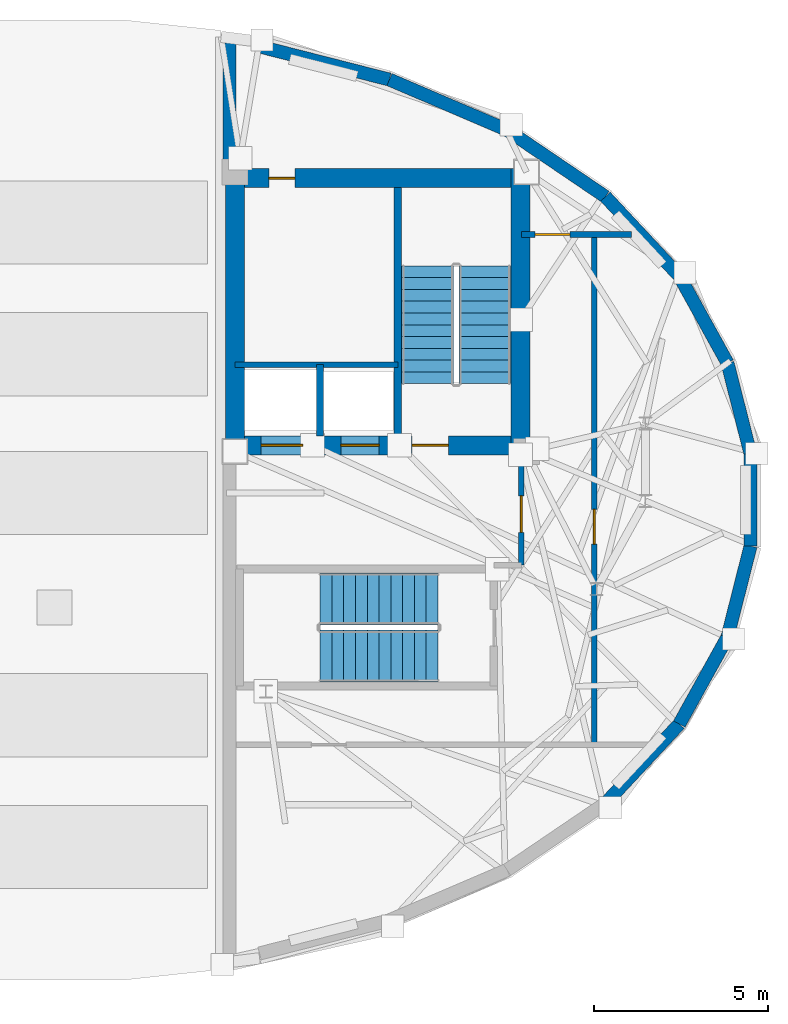
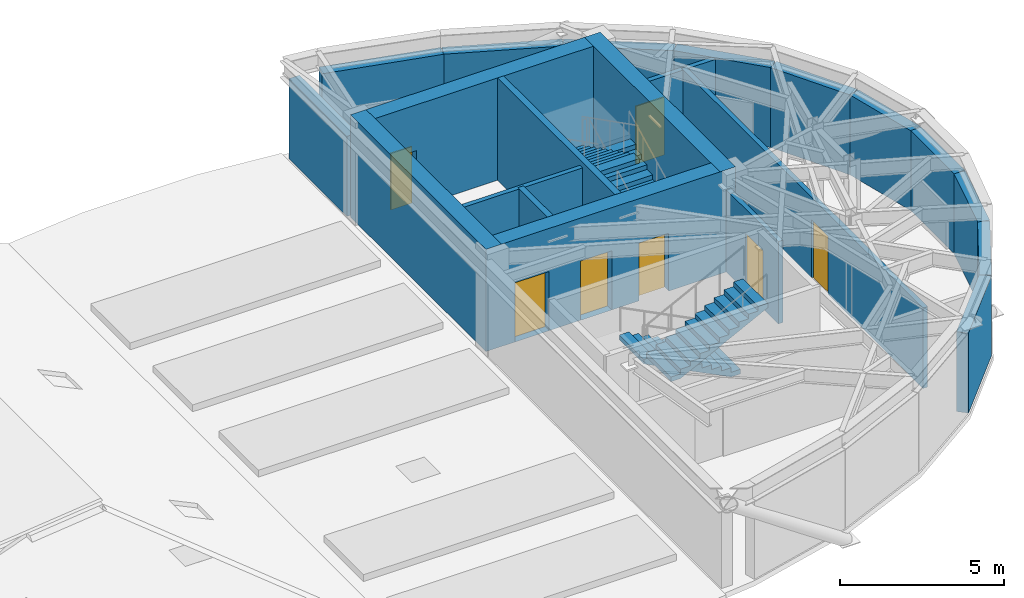
# One storey, part 3 of 5: 21 walls, 7 doors, 4 stair flights, 7 openings, 2 elements without a shape of their own.
"""IFC4 building model written with IfcOpenShell, lengths in metres."""

from ifc_helpers import new_model, si_unit, direction, frame, frame_2d, origin, place, context, subcontext, project, spatial, polyline, rectangle, outline, extrude, material, layer, layer_set, type_object, element, fill, aggregate, save


model = new_model("IFC4")

# Units and contexts
model_context = context("Model", 3, precision=1e-05, world=origin(), true_north=direction((0.0, 1.0)))
body_context = subcontext(model_context, "Body", "Model", "MODEL_VIEW")
ifc_project = project(units=[si_unit("LENGTHUNIT", "METRE"), si_unit("AREAUNIT", "SQUARE_METRE"), si_unit("VOLUMEUNIT", "CUBIC_METRE"), si_unit("PLANEANGLEUNIT", "RADIAN"), si_unit("MASSUNIT", "GRAM", prefix="KILO")], contexts=[model_context])

# Site, building, storey
site_placement = place(None, origin())
site = spatial("IfcSite", under=ifc_project, at=site_placement, CompositionType="ELEMENT")
building_placement = place(site_placement, origin())
building = spatial("IfcBuilding", under=site, at=building_placement, Name="Keldmark Tower", CompositionType="ELEMENT")
storey_placement = place(building_placement, frame((0.0, 0.0, 284.39990234375)))
storey = spatial("IfcBuildingStorey", under=building, at=storey_placement, Name="L80", CompositionType="ELEMENT", Elevation=284.39990234375)

# Walls
ifc_material_1 = material(Name="Kasota Buff Limestone Ashlar Masonry", Category="masonry")
ifc_layer_1 = layer(ifc_material_1, 0.3798828125)
ifc_layer_set_1 = layer_set([ifc_layer_1], Name="Kasota Buff Limestone Ashlar Masonry")
wall_type_1 = type_object("IfcWallType", Name="Crown Kasota Limestone Screen Wall 380 mm", PredefinedType="ELEMENTEDWALL", material=ifc_layer_set_1)
wall_1_placement = place(storey_placement, frame((9.6494140625, 12.114990234375, 0.0), z_axis=(0.0, 0.0, 1.0), x_axis=(-0.969005337837, 0.247039784739, 0.0)))
element("IfcWall", 1, at=wall_1_placement, inside=storey, type_object=wall_type_1, Name="L80 Crown Limestone Enclosure Wall E01", PredefinedType="ELEMENTEDWALL", context=body_context, shape_type="SweptSolid", body=[
    extrude(rectangle(XDim=3.862060546875, YDim=0.3798828125, at=frame_2d((1.93115234375, 0.0))), origin(), (0.0, 0.0, 1.0), 2.97021484375),
])
wall_2_placement = place(storey_placement, frame((13.041259765625, 10.662353515625, 0.0), z_axis=(0.0, 0.0, 1.0), x_axis=(-0.919244249846, 0.393687705073, 0.0)))
element("IfcWall", 2, at=wall_2_placement, inside=storey, type_object=wall_type_1, Name="L80 Crown Limestone Enclosure Wall E02", PredefinedType="ELEMENTEDWALL", context=body_context, shape_type="SweptSolid", body=[
    extrude(rectangle(XDim=3.68994140625, YDim=0.3798828125, at=frame_2d((1.844970703125, 0.0))), origin(), (0.0, 0.0, 1.0), 2.97021484375),
])
wall_3_placement = place(storey_placement, frame((15.87451171875, 8.74072265625, 0.0), z_axis=(0.0, 0.0, 1.0), x_axis=(-0.82760237515, 0.561314803516, 0.0)))
element("IfcWall", 3, at=wall_3_placement, inside=storey, type_object=wall_type_1, Name="L80 Crown Limestone Enclosure Wall E03", PredefinedType="ELEMENTEDWALL", context=body_context, shape_type="SweptSolid", body=[
    extrude(rectangle(XDim=3.42333984375, YDim=0.3798828125, at=frame_2d((1.711669921875, 0.0))), origin(), (0.0, 0.0, 1.0), 2.97021484375),
])
wall_4_placement = place(storey_placement, frame((18.001708984375, 6.45556640625, 0.0), z_axis=(0.0, 0.0, 1.0), x_axis=(-0.681356413762, 0.731951799933, 0.0)))
element("IfcWall", 4, at=wall_4_placement, inside=storey, type_object=wall_type_1, Name="L80 Crown Limestone Enclosure Wall E04", PredefinedType="ELEMENTEDWALL", context=body_context, shape_type="SweptSolid", body=[
    extrude(rectangle(XDim=3.1220703125, YDim=0.3798828125, at=frame_2d((1.56103515625, 0.0))), origin(), (0.0, 0.0, 1.0), 2.97021484375),
])
wall_5_placement = place(storey_placement, frame((19.391845703125, 3.947021484375, 0.0), z_axis=(0.0, 0.0, 1.0), x_axis=(-0.484710278861, 0.874674765594, 0.0)))
element("IfcWall", 5, at=wall_5_placement, inside=storey, type_object=wall_type_1, Name="L80 Crown Limestone Enclosure Wall E05", PredefinedType="ELEMENTEDWALL", context=body_context, shape_type="SweptSolid", body=[
    extrude(rectangle(XDim=2.867919921875, YDim=0.3798828125, at=frame_2d((1.43408203125, 0.0))), origin(), (0.0, 0.0, 1.0), 2.97021484375),
])
wall_6_placement = place(storey_placement, frame((20.055908203125, 1.325927734375, 0.0), z_axis=(0.0, 0.0, 1.0), x_axis=(-0.245593718024, 0.969372851728, 0.0)))
element("IfcWall", 6, at=wall_6_placement, inside=storey, type_object=wall_type_1, Name="L80 Crown Limestone Enclosure Wall E06", PredefinedType="ELEMENTEDWALL", context=body_context, shape_type="SweptSolid", body=[
    extrude(rectangle(XDim=2.703857421875, YDim=0.3798828125, at=frame_2d((1.35205078125, 0.0))), origin(), (0.0, 0.0, 1.0), 2.97021484375),
])
wall_7_placement = place(storey_placement, frame((20.055908203125, -1.325927734375, 0.0), z_axis=(0.0, 0.0, 1.0), x_axis=(0.0, 1.0, 0.0)))
element("IfcWall", 7, at=wall_7_placement, inside=storey, type_object=wall_type_1, Name="L80 Crown Limestone Enclosure Wall E07", PredefinedType="ELEMENTEDWALL", context=body_context, shape_type="SweptSolid", body=[
    extrude(rectangle(XDim=2.65185546875, YDim=0.3798828125, at=frame_2d((1.325927734375, 0.0))), origin(), (0.0, 0.0, 1.0), 2.97021484375),
])
wall_8_placement = place(storey_placement, frame((19.391845703125, -3.947021484375, 0.0), z_axis=(0.0, 0.0, 1.0), x_axis=(0.245593718024, 0.969372851728, 0.0)))
element("IfcWall", 8, at=wall_8_placement, inside=storey, type_object=wall_type_1, Name="L80 Crown Limestone Enclosure Wall E08", PredefinedType="ELEMENTEDWALL", context=body_context, shape_type="SweptSolid", body=[
    extrude(rectangle(XDim=2.703857421875, YDim=0.3798828125, at=frame_2d((1.35205078125, 0.0))), origin(), (0.0, 0.0, 1.0), 2.97021484375),
])
wall_9_placement = place(storey_placement, frame((18.001708984375, -6.45556640625, 0.0), z_axis=(0.0, 0.0, 1.0), x_axis=(0.484710278861, 0.874674765594, 0.0)))
element("IfcWall", 9, at=wall_9_placement, inside=storey, type_object=wall_type_1, Name="L80 Crown Limestone Enclosure Wall E09", PredefinedType="ELEMENTEDWALL", context=body_context, shape_type="SweptSolid", body=[
    extrude(rectangle(XDim=2.867919921875, YDim=0.3798828125, at=frame_2d((1.43408203125, 0.0))), origin(), (0.0, 0.0, 1.0), 2.97021484375),
])
wall_10_placement = place(storey_placement, frame((15.87451171875, -8.74072265625, 0.0), z_axis=(0.0, 0.0, 1.0), x_axis=(0.681356413762, 0.731951799933, 0.0)))
element("IfcWall", 10, at=wall_10_placement, inside=storey, type_object=wall_type_1, Name="L80 Crown Limestone Enclosure Wall E10", PredefinedType="ELEMENTEDWALL", context=body_context, shape_type="SweptSolid", body=[
    extrude(rectangle(XDim=3.1220703125, YDim=0.3798828125, at=frame_2d((1.56103515625, 0.0))), origin(), (0.0, 0.0, 1.0), 2.97021484375),
])
wall_11_placement = place(storey_placement, frame((5.0400390625, 13.170166015625, 0.0), z_axis=(0.0, 0.0, 1.0), x_axis=(0.0, -1.0, 0.0)))
element("IfcWall", 11, at=wall_11_placement, inside=storey, type_object=wall_type_1, Name="L80 Crown Limestone Enclosure Wall E15", PredefinedType="ELEMENTEDWALL", context=body_context, shape_type="SweptSolid", body=[
    extrude(rectangle(XDim=3.540283203125, YDim=0.3798828125, at=frame_2d((1.77001953125, 0.0))), origin(), (0.0, 0.0, 1.0), 2.97021484375),
])
ifc_material_2 = material(Name="Concrete C50/60", Category="concrete")
ifc_layer_2 = layer(ifc_material_2, 0.550048828125)
ifc_layer_set_2 = layer_set([ifc_layer_2], Name="Concrete C50/60")
wall_type_2 = type_object("IfcWallType", Name="High-Rise Core Shear Wall 550 mm", PredefinedType="SHEAR", material=ifc_layer_set_2)
wall_12_placement = place(storey_placement, frame((13.425048828125, 1.300048828125, 0.0), z_axis=(0.0, 0.0, 1.0), x_axis=(0.0, 1.0, 0.0)))
element("IfcWall", 12, at=wall_12_placement, inside=storey, type_object=wall_type_2, Name="L80 East Crown Core East Wall", PredefinedType="SHEAR", context=body_context, shape_type="SweptSolid", body=[
    extrude(rectangle(XDim=8.25, YDim=0.550048828125, at=frame_2d((4.125, 0.0))), origin(), (0.0, 0.0, 1.0), 3.800048828125),
])

# Wall, opening, door
wall_13_placement = place(storey_placement, frame((4.925048828125, 9.27490234375, 0.0), z_axis=(0.0, 0.0, 1.0), x_axis=(1.0, 0.0, 0.0)))
wall_13 = element("IfcWall", 13, at=wall_13_placement, inside=storey, type_object=wall_type_2, Name="L80 East Crown Core North Wall", PredefinedType="SHEAR", context=body_context, shape_type="SweptSolid", body=[
    extrude(rectangle(XDim=8.77490234375, YDim=0.550048828125, at=frame_2d((4.387451171875, 0.0))), origin(), (0.0, 0.0, 1.0), 3.800048828125),
])
opening_1_placement = place(wall_13_placement, frame((1.25, 0.0, 0.0)))
opening_1 = element("IfcOpeningElement", 14, at=opening_1_placement, cuts=wall_13, Name="Opening D-RS075", PredefinedType="OPENING", context=body_context, shape_type="SweptSolid", body=[
    extrude(rectangle(XDim=0.75, YDim=2.10009765625, at=frame_2d((0.375, 1.050048828125))), frame((0.0, 0.284912109375, 0.0), z_axis=(0.0, -1.0, 0.0), x_axis=(1.0, 0.0, 0.0)), (0.0, 0.0, 1.0), 0.570068359375),
])
ifc_material_3 = material(Name="Galvanized Fire-Rated Access Leaf", Category="metal")
door_type_1 = type_object("IfcDoorType", Name="Riser Access Door 750x2100", OperationType="NOTDEFINED", PredefinedType="DOOR", material=ifc_material_3)
door_1_placement = place(opening_1_placement, origin())
door_1 = element("IfcDoor", 15, at=door_1_placement, inside=storey, type_object=door_type_1, Name="L80 Riser Access Door 750x2100 D-EC-RIS-L80", OperationType="SINGLE_SWING_RIGHT", OverallHeight=2.10009765625, OverallWidth=0.75, PredefinedType="DOOR", context=body_context, shape_type="SweptSolid", body=[
    extrude(rectangle(XDim=0.75, YDim=2.10009765625, at=frame_2d((0.375, 1.050048828125))), frame((0.0, 0.02490234375, 0.0), z_axis=(0.0, -1.0, 0.0), x_axis=(1.0, 0.0, 0.0)), (0.0, 0.0, 1.0), 0.050048828125),
])
fill(opening_1, door_1)

# Wall, openings, doors
wall_14_placement = place(storey_placement, frame((13.699951171875, 1.574951171875, 0.0), z_axis=(0.0, 0.0, 1.0), x_axis=(-1.0, 0.0, 0.0)))
wall_14 = element("IfcWall", 16, at=wall_14_placement, inside=storey, type_object=wall_type_2, Name="L80 East Crown Core South Wall", PredefinedType="SHEAR", context=body_context, shape_type="SweptSolid", body=[
    extrude(rectangle(XDim=8.77490234375, YDim=0.550048828125, at=frame_2d((4.387451171875, 0.0))), origin(), (0.0, 0.0, 1.0), 3.800048828125),
])
opening_2_placement = place(wall_14_placement, frame((2.35009765625, 0.0, 0.0)))
opening_2 = element("IfcOpeningElement", 17, at=opening_2_placement, cuts=wall_14, Name="Opening D-ST105", PredefinedType="OPENING", context=body_context, shape_type="SweptSolid", body=[
    extrude(rectangle(XDim=1.050048828125, YDim=2.14990234375, at=frame_2d((0.52490234375, 1.074951171875))), frame((0.0, 0.284912109375, 0.0), z_axis=(0.0, -1.0, 0.0), x_axis=(1.0, 0.0, 0.0)), (0.0, 0.0, 1.0), 0.570068359375),
])
opening_3_placement = place(wall_14_placement, frame((6.550048828125, 0.0, 0.0)))
opening_3 = element("IfcOpeningElement", 18, at=opening_3_placement, cuts=wall_14, Name="Opening LD-120", PredefinedType="OPENING", context=body_context, shape_type="SweptSolid", body=[
    extrude(rectangle(XDim=1.199951171875, YDim=2.199951171875, at=frame_2d((0.60009765625, 1.10009765625))), frame((0.0, 0.284912109375, 0.0), z_axis=(0.0, -1.0, 0.0), x_axis=(1.0, 0.0, 0.0)), (0.0, 0.0, 1.0), 0.570068359375),
])
opening_4_placement = place(wall_14_placement, frame((4.35009765625, 0.0, 0.0)))
opening_4 = element("IfcOpeningElement", 19, at=opening_4_placement, cuts=wall_14, Name="Opening LD-110", PredefinedType="OPENING", context=body_context, shape_type="SweptSolid", body=[
    extrude(rectangle(XDim=1.10009765625, YDim=2.199951171875, at=frame_2d((0.550048828125, 1.10009765625))), frame((0.0, 0.284912109375, 0.0), z_axis=(0.0, -1.0, 0.0), x_axis=(1.0, 0.0, 0.0)), (0.0, 0.0, 1.0), 0.570068359375),
])
ifc_material_4 = material(Name="Brushed Bronze Hoistway Sliding Leaf", Category="metal")
door_type_2 = type_object("IfcDoorType", Name="Lift Landing Sliding Door 1100x2200", OperationType="SLIDING_TO_LEFT", PredefinedType="DOOR", material=ifc_material_4)
door_2_placement = place(opening_4_placement, origin())
door_2 = element("IfcDoor", 20, at=door_2_placement, inside=storey, type_object=door_type_2, Name="L80 Lift Landing Sliding Door 1100x2200 LD-EL-FS2-L80", OperationType="SLIDING_TO_LEFT", OverallHeight=2.199951171875, OverallWidth=1.10009765625, PredefinedType="DOOR", context=body_context, shape_type="SweptSolid", body=[
    extrude(rectangle(XDim=1.10009765625, YDim=2.199951171875, at=frame_2d((0.550048828125, 1.10009765625))), frame((0.0, 0.02490234375, 0.0), z_axis=(0.0, -1.0, 0.0), x_axis=(1.0, 0.0, 0.0)), (0.0, 0.0, 1.0), 0.050048828125),
])
fill(opening_4, door_2)
ifc_material_5 = material(Name="Heavy-Duty Brushed Metal Hoistway Sliding Leaf", Category="metal")
door_type_3 = type_object("IfcDoorType", Name="Service Lift Sliding Door 1200x2200", OperationType="SLIDING_TO_RIGHT", PredefinedType="DOOR", material=ifc_material_5)
door_3_placement = place(opening_3_placement, origin())
door_3 = element("IfcDoor", 21, at=door_3_placement, inside=storey, type_object=door_type_3, Name="L80 Service Lift Sliding Door 1200x2200 LD-EL-SV1-L80", OperationType="SLIDING_TO_RIGHT", OverallHeight=2.199951171875, OverallWidth=1.199951171875, PredefinedType="DOOR", context=body_context, shape_type="SweptSolid", body=[
    extrude(rectangle(XDim=1.199951171875, YDim=2.199951171875, at=frame_2d((0.60009765625, 1.10009765625))), frame((0.0, 0.02490234375, 0.0), z_axis=(0.0, -1.0, 0.0), x_axis=(1.0, 0.0, 0.0)), (0.0, 0.0, 1.0), 0.050048828125),
])
fill(opening_3, door_3)
ifc_material_6 = material(Name="Hollow Metal Fire-Rated Door Assembly", Category="metal")
door_type_4 = type_object("IfcDoorType", Name="Stair Fire Door 1050x2150", OperationType="NOTDEFINED", PredefinedType="DOOR", material=ifc_material_6)
door_4_placement = place(opening_2_placement, origin())
door_4 = element("IfcDoor", 22, at=door_4_placement, inside=storey, type_object=door_type_4, Name="L80 Stair Fire Door 1050x2150 D-ST2-L80", OperationType="SINGLE_SWING_RIGHT", OverallHeight=2.14990234375, OverallWidth=1.050048828125, PredefinedType="DOOR", context=body_context, shape_type="SweptSolid", body=[
    extrude(rectangle(XDim=1.050048828125, YDim=2.14990234375, at=frame_2d((0.52490234375, 1.074951171875))), frame((0.0, 0.02490234375, 0.0), z_axis=(0.0, -1.0, 0.0), x_axis=(1.0, 0.0, 0.0)), (0.0, 0.0, 1.0), 0.050048828125),
])
fill(opening_2, door_4)

# Walls
wall_15_placement = place(storey_placement, frame((5.199951171875, 1.300048828125, 0.0), z_axis=(0.0, 0.0, 1.0), x_axis=(0.0, 1.0, 0.0)))
element("IfcWall", 23, at=wall_15_placement, inside=storey, type_object=wall_type_2, Name="L80 East Crown Core Slot Wall", PredefinedType="SHEAR", context=body_context, shape_type="SweptSolid", body=[
    extrude(rectangle(XDim=8.25, YDim=0.550048828125, at=frame_2d((4.125, 0.0))), origin(), (0.0, 0.0, 1.0), 3.800048828125),
])
ifc_material_7 = material(Name="Type X Fire-Rated Gypsum Partition Assembly", Category="gypsum")
ifc_layer_3 = layer(ifc_material_7, 0.1650390625)
ifc_layer_set_3 = layer_set([ifc_layer_3], Name="Type X Fire-Rated Gypsum Partition Assembly")
wall_type_3 = type_object("IfcWallType", Name="Rated Partition 165 mm", PredefinedType="PARTITIONING", material=ifc_layer_set_3)
wall_16_placement = place(storey_placement, frame((5.199951171875, 3.89990234375, 0.0), z_axis=(0.0, 0.0, 1.0), x_axis=(1.0, 0.0, 0.0)))
element("IfcWall", 24, at=wall_16_placement, inside=storey, type_object=wall_type_3, Name="L80 Rated Partition 165 mm EC-SV-N", PredefinedType="PARTITIONING", context=body_context, shape_type="SweptSolid", body=[
    extrude(rectangle(XDim=4.68994140625, YDim=0.1650390625, at=frame_2d((2.344970703125, 0.0))), origin(), (0.0, 0.0, 1.0), 3.60009765625),
])

# Wall, opening, door
wall_17_placement = place(storey_placement, frame((13.449951171875, -1.8798828125, 0.0), z_axis=(0.0, 0.0, 1.0), x_axis=(0.0, 1.0, 0.0)))
wall_17 = element("IfcWall", 25, at=wall_17_placement, inside=storey, type_object=wall_type_3, Name="L80 Rated Partition 165 mm EC-FSAE-E", PredefinedType="PARTITIONING", context=body_context, shape_type="SweptSolid", body=[
    extrude(rectangle(XDim=3.22998046875, YDim=0.1650390625, at=frame_2d((1.614990234375, 0.0))), origin(), (0.0, 0.0, 1.0), 3.06103515625),
])
opening_5_placement = place(wall_17_placement, frame((0.949951171875, 0.0, 0.0)))
opening_5 = element("IfcOpeningElement", 26, at=opening_5_placement, cuts=wall_17, Name="Opening D-FL105", PredefinedType="OPENING", context=body_context, shape_type="SweptSolid", body=[
    extrude(rectangle(XDim=1.050048828125, YDim=2.14990234375, at=frame_2d((0.52490234375, 1.074951171875))), frame((0.0, 0.092529296875, 0.0), z_axis=(0.0, -1.0, 0.0), x_axis=(1.0, 0.0, 0.0)), (0.0, 0.0, 1.0), 0.18505859375),
])
ifc_material_8 = material(Name="Fire-Rated Mineral-Core Door and Vision Lite", Category="metal")
door_type_5 = type_object("IfcDoorType", Name="Fire Lobby Door 1050x2150", OperationType="NOTDEFINED", PredefinedType="DOOR", material=ifc_material_8)
door_5_placement = place(opening_5_placement, origin())
door_5 = element("IfcDoor", 27, at=door_5_placement, inside=storey, type_object=door_type_5, Name="L80 Fire Lobby Door 1050x2150 D-ECFSAE-E-L80", OperationType="SINGLE_SWING_LEFT", OverallHeight=2.14990234375, OverallWidth=1.050048828125, PredefinedType="DOOR", context=body_context, shape_type="SweptSolid", body=[
    extrude(rectangle(XDim=1.050048828125, YDim=2.14990234375, at=frame_2d((0.52490234375, 1.074951171875))), frame((0.0, 0.02490234375, 0.0), z_axis=(0.0, -1.0, 0.0), x_axis=(1.0, 0.0, 0.0)), (0.0, 0.0, 1.0), 0.050048828125),
])
fill(opening_5, door_5)

wall_18_placement = place(storey_placement, frame((15.550048828125, -7.050048828125, 0.0), z_axis=(0.0, 0.0, 1.0), x_axis=(0.0, 1.0, 0.0)))
wall_18 = element("IfcWall", 28, at=wall_18_placement, inside=storey, type_object=wall_type_3, Name="L80 Rated Partition 165 mm EC-ECOR-E", PredefinedType="PARTITIONING", context=body_context, shape_type="SweptSolid", body=[
    extrude(rectangle(XDim=14.699951171875, YDim=0.1650390625, at=frame_2d((7.35009765625, 0.0))), origin(), (0.0, 0.0, 1.0), 2.987060546875),
])
opening_6_placement = place(wall_18_placement, frame((5.780029296875, 0.0, 0.0)))
opening_6 = element("IfcOpeningElement", 29, at=opening_6_placement, cuts=wall_18, Name="Opening D-FD100", PredefinedType="OPENING", context=body_context, shape_type="SweptSolid", body=[
    extrude(rectangle(XDim=1.0, YDim=2.14990234375, at=frame_2d((0.5, 1.074951171875))), frame((0.0, 0.092529296875, 0.0), z_axis=(0.0, -1.0, 0.0), x_axis=(1.0, 0.0, 0.0)), (0.0, 0.0, 1.0), 0.18505859375),
])
ifc_material_9 = material(Name="Hollow Metal Fire-Rated Corridor Door", Category="metal")
door_type_6 = type_object("IfcDoorType", Name="Fire Door 1000x2150", OperationType="NOTDEFINED", PredefinedType="DOOR", material=ifc_material_9)
door_6_placement = place(opening_6_placement, origin())
door_6 = element("IfcDoor", 30, at=door_6_placement, inside=storey, type_object=door_type_6, Name="L80 Fire Door 1000x2150 D-ECPE1-L80", OperationType="SINGLE_SWING_RIGHT", OverallHeight=2.14990234375, OverallWidth=1.0, PredefinedType="DOOR", context=body_context, shape_type="SweptSolid", body=[
    extrude(rectangle(XDim=1.0, YDim=2.14990234375, at=frame_2d((0.5, 1.074951171875))), frame((0.0, 0.02490234375, 0.0), z_axis=(0.0, -1.0, 0.0), x_axis=(1.0, 0.0, 0.0)), (0.0, 0.0, 1.0), 0.050048828125),
])
fill(opening_6, door_6)

wall_19_placement = place(storey_placement, frame((13.449951171875, 7.64990234375, 0.0), z_axis=(0.0, 0.0, 1.0), x_axis=(1.0, 0.0, 0.0)))
wall_19 = element("IfcWall", 31, at=wall_19_placement, inside=storey, type_object=wall_type_3, Name="L80 Rated Partition 165 mm EC-NCAP", PredefinedType="PARTITIONING", context=body_context, shape_type="SweptSolid", body=[
    extrude(rectangle(XDim=3.16943359375, YDim=0.1650390625, at=frame_2d((1.584716796875, 0.0))), origin(), (0.0, 0.0, 1.0), 2.968017578125),
])
opening_7_placement = place(wall_19_placement, frame((0.39990234375, 0.0, 0.0)))
opening_7 = element("IfcOpeningElement", 32, at=opening_7_placement, cuts=wall_19, Name="Opening D-FD100", PredefinedType="OPENING", context=body_context, shape_type="SweptSolid", body=[
    extrude(rectangle(XDim=1.0, YDim=2.14990234375, at=frame_2d((0.5, 1.074951171875))), frame((0.0, 0.092529296875, 0.0), z_axis=(0.0, -1.0, 0.0), x_axis=(1.0, 0.0, 0.0)), (0.0, 0.0, 1.0), 0.18505859375),
])
door_7_placement = place(opening_7_placement, origin())
door_7 = element("IfcDoor", 33, at=door_7_placement, inside=storey, type_object=door_type_6, Name="L80 Fire Door 1000x2150 D-ECPN-L80", OperationType="SINGLE_SWING_LEFT", OverallHeight=2.14990234375, OverallWidth=1.0, PredefinedType="DOOR", context=body_context, shape_type="SweptSolid", body=[
    extrude(rectangle(XDim=1.0, YDim=2.14990234375, at=frame_2d((0.5, 1.074951171875))), frame((0.0, 0.02490234375, 0.0), z_axis=(0.0, -1.0, 0.0), x_axis=(1.0, 0.0, 0.0)), (0.0, 0.0, 1.0), 0.050048828125),
])
fill(opening_7, door_7)

# Walls
ifc_material_10 = material(Name="Fire-Resistant Type X Gypsum Shaftliner Coreboard", Category="gypsum")
ifc_layer_4 = layer(ifc_material_10, 0.199951171875)
ifc_layer_set_4 = layer_set([ifc_layer_4], Name="Fire-Resistant Type X Gypsum Shaftliner Coreboard")
wall_type_4 = type_object("IfcWallType", Name="Shaft Wall 200 mm", PredefinedType="SOLIDWALL", material=ifc_layer_set_4)
wall_20_placement = place(storey_placement, frame((7.64990234375, 1.85009765625, 0.0), z_axis=(0.0, 0.0, 1.0), x_axis=(0.0, 1.0, 0.0)))
element("IfcWall", 34, at=wall_20_placement, inside=storey, type_object=wall_type_4, Name="L80 Shaft Wall 200 mm EC-DIV", PredefinedType="SOLIDWALL", context=body_context, shape_type="SweptSolid", body=[
    extrude(rectangle(XDim=2.0498046875, YDim=0.199951171875, at=frame_2d((1.02490234375, 0.0))), origin(), (0.0, 0.0, 1.0), 3.60009765625),
])
ifc_material_11 = material(Name="Concrete C50/60", Category="concrete")
ifc_layer_5 = layer(ifc_material_11, 0.219970703125)
ifc_layer_set_5 = layer_set([ifc_layer_5], Name="Concrete C50/60")
wall_type_5 = type_object("IfcWallType", Name="Stair Core Shear Wall 220 mm", PredefinedType="SHEAR", material=ifc_layer_set_5)
wall_21_placement = place(storey_placement, frame((9.889892578125, 1.85009765625, 0.0), z_axis=(0.0, 0.0, 1.0), x_axis=(0.0, 1.0, 0.0)))
element("IfcWall", 35, at=wall_21_placement, inside=storey, type_object=wall_type_5, Name="L80 East Stair Core Shear Wall", PredefinedType="SHEAR", context=body_context, shape_type="SweptSolid", body=[
    extrude(rectangle(XDim=7.14990234375, YDim=0.219970703125, at=frame_2d((3.574951171875, 0.0))), origin(), (0.0, 0.0, 1.0), 3.800048828125),
])

# Stair, stair flights
ifc_material_12 = material(Name="Concrete C40/50", Category="concrete")
stair_type = type_object("IfcStairType", Name="Precast Concrete Core Exit Stair", PredefinedType="HALF_TURN_STAIR", material=ifc_material_12)
stair_1_placement = place(storey_placement, origin())
stair_1 = element("IfcStair", 36, at=stair_1_placement, inside=storey, type_object=stair_type, Name="L80 Exit Stair ST2", PredefinedType="HALF_TURN_STAIR")
ifc_material_13 = material(Name="Concrete C40/50", Category="concrete")
stair_flight_type = type_object("IfcStairFlightType", Name="Precast Concrete Stair Flight 1500 mm", PredefinedType="STRAIGHT", material=ifc_material_13)
stair_flight_1_placement = place(storey_placement, frame((12.39990234375, 3.35009765625, 0.0), z_axis=(0.0, 0.0, 1.0), x_axis=(0.0, 1.0, 0.0)))
stair_flight_1 = element("IfcStairFlight", 37, at=stair_flight_1_placement, type_object=stair_flight_type, Name="ST2 flight 1", NumberOfRisers=11, NumberOfTreads=10, PredefinedType="STRAIGHT", RiserHeight=0.172727273, TreadLength=0.34, context=body_context, shape_type="SweptSolid", body=[
    extrude(outline(polyline([(0.0, 0.0), (0.0, 0.172607421875), (0.340087890625, 0.172607421875), (0.340087890625, 0.345458984375), (0.679931640625, 0.345458984375), (0.679931640625, 0.51806640625), (1.02001953125, 0.51806640625), (1.02001953125, 0.69091796875), (1.360107421875, 0.69091796875), (1.360107421875, 0.863525390625), (1.699951171875, 0.863525390625), (1.699951171875, 1.036376953125), (2.0400390625, 1.036376953125), (2.0400390625, 1.208984375), (2.3798828125, 1.208984375), (2.3798828125, 1.3818359375), (2.719970703125, 1.3818359375), (2.719970703125, 1.554443359375), (3.06005859375, 1.554443359375), (3.06005859375, 1.727294921875), (3.39990234375, 1.727294921875), (3.39990234375, 1.89990234375), (3.39990234375, 1.55908203125), (0.3310546875, 0.0), (0.0, 0.0)])), frame((0.0, 0.75, 0.0), z_axis=(0.0, -1.0, 0.0), x_axis=(1.0, 0.0, 0.0)), (0.0, 0.0, 1.0), 1.5),
])
stair_flight_2_placement = place(storey_placement, frame((10.75, 6.75, 1.900146484375), z_axis=(0.0, 0.0, 1.0), x_axis=(0.0, -1.0, 0.0)))
stair_flight_2 = element("IfcStairFlight", 38, at=stair_flight_2_placement, type_object=stair_flight_type, Name="ST2 flight 2", NumberOfRisers=11, NumberOfTreads=10, PredefinedType="STRAIGHT", RiserHeight=0.172727273, TreadLength=0.34, context=body_context, shape_type="SweptSolid", body=[
    extrude(outline(polyline([(0.0, 0.0), (0.0, 0.172607421875), (0.340087890625, 0.172607421875), (0.340087890625, 0.345458984375), (0.679931640625, 0.345458984375), (0.679931640625, 0.51806640625), (1.02001953125, 0.51806640625), (1.02001953125, 0.69091796875), (1.360107421875, 0.69091796875), (1.360107421875, 0.863525390625), (1.699951171875, 0.863525390625), (1.699951171875, 1.036376953125), (2.0400390625, 1.036376953125), (2.0400390625, 1.208984375), (2.3798828125, 1.208984375), (2.3798828125, 1.3818359375), (2.719970703125, 1.3818359375), (2.719970703125, 1.554443359375), (3.06005859375, 1.554443359375), (3.06005859375, 1.727294921875), (3.39990234375, 1.727294921875), (3.39990234375, 1.89990234375), (3.39990234375, 1.55908203125), (0.3310546875, 0.0), (0.0, 0.0)])), frame((0.0, 0.75, 0.0), z_axis=(0.0, -1.0, 0.0), x_axis=(1.0, 0.0, 0.0)), (0.0, 0.0, 1.0), 1.5),
])
aggregate(stair_1, [stair_flight_1, stair_flight_2])

stair_2_placement = place(storey_placement, origin())
stair_2 = element("IfcStair", 39, at=stair_2_placement, inside=storey, type_object=stair_type, Name="L80 East Crown Exit Stair ST4", PredefinedType="HALF_TURN_STAIR")
stair_flight_3_placement = place(storey_placement, frame((11.050048828125, -2.85009765625, 0.0), z_axis=(0.0, 0.0, 1.0), x_axis=(-1.0, 0.0, 0.0)))
stair_flight_3 = element("IfcStairFlight", 40, at=stair_flight_3_placement, type_object=stair_flight_type, Name="ST4 flight 1", NumberOfRisers=11, NumberOfTreads=10, PredefinedType="STRAIGHT", RiserHeight=0.172727273, TreadLength=0.34, context=body_context, shape_type="SweptSolid", body=[
    extrude(outline(polyline([(0.0, 0.0), (0.0, 0.172607421875), (0.340087890625, 0.172607421875), (0.340087890625, 0.345458984375), (0.679931640625, 0.345458984375), (0.679931640625, 0.51806640625), (1.02001953125, 0.51806640625), (1.02001953125, 0.69091796875), (1.360107421875, 0.69091796875), (1.360107421875, 0.863525390625), (1.699951171875, 0.863525390625), (1.699951171875, 1.036376953125), (2.0400390625, 1.036376953125), (2.0400390625, 1.208984375), (2.3798828125, 1.208984375), (2.3798828125, 1.3818359375), (2.719970703125, 1.3818359375), (2.719970703125, 1.554443359375), (3.06005859375, 1.554443359375), (3.06005859375, 1.727294921875), (3.39990234375, 1.727294921875), (3.39990234375, 1.89990234375), (3.39990234375, 1.55908203125), (0.3310546875, 0.0), (0.0, 0.0)])), frame((0.0, 0.75, 0.0), z_axis=(0.0, -1.0, 0.0), x_axis=(1.0, 0.0, 0.0)), (0.0, 0.0, 1.0), 1.5),
])
stair_flight_4_placement = place(storey_placement, frame((7.64990234375, -4.5, 1.900146484375), z_axis=(0.0, 0.0, 1.0), x_axis=(1.0, 0.0, 0.0)))
stair_flight_4 = element("IfcStairFlight", 41, at=stair_flight_4_placement, type_object=stair_flight_type, Name="ST4 flight 2", NumberOfRisers=11, NumberOfTreads=10, PredefinedType="STRAIGHT", RiserHeight=0.172727273, TreadLength=0.34, context=body_context, shape_type="SweptSolid", body=[
    extrude(outline(polyline([(0.0, 0.0), (0.0, 0.172607421875), (0.340087890625, 0.172607421875), (0.340087890625, 0.345458984375), (0.679931640625, 0.345458984375), (0.679931640625, 0.51806640625), (1.02001953125, 0.51806640625), (1.02001953125, 0.69091796875), (1.360107421875, 0.69091796875), (1.360107421875, 0.863525390625), (1.699951171875, 0.863525390625), (1.699951171875, 1.036376953125), (2.0400390625, 1.036376953125), (2.0400390625, 1.208984375), (2.3798828125, 1.208984375), (2.3798828125, 1.3818359375), (2.719970703125, 1.3818359375), (2.719970703125, 1.554443359375), (3.06005859375, 1.554443359375), (3.06005859375, 1.727294921875), (3.39990234375, 1.727294921875), (3.39990234375, 1.89990234375), (3.39990234375, 1.55908203125), (0.3310546875, 0.0), (0.0, 0.0)])), frame((0.0, 0.75, 0.0), z_axis=(0.0, -1.0, 0.0), x_axis=(1.0, 0.0, 0.0)), (0.0, 0.0, 1.0), 1.5),
])
aggregate(stair_2, [stair_flight_3, stair_flight_4])

save(model, "model.ifc")
